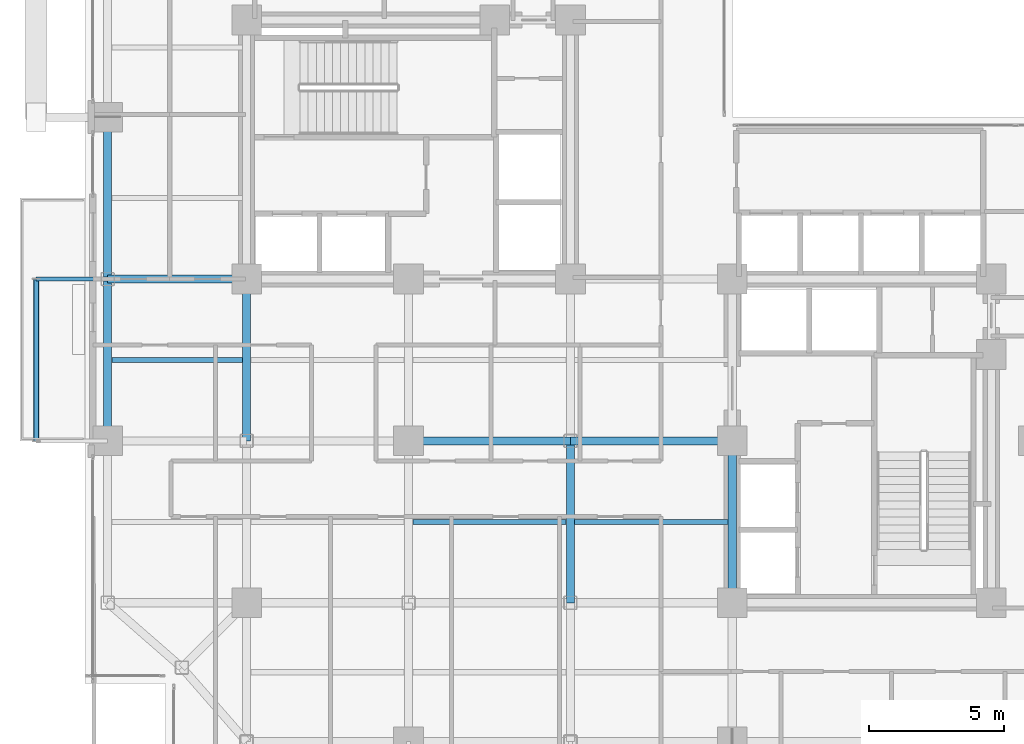
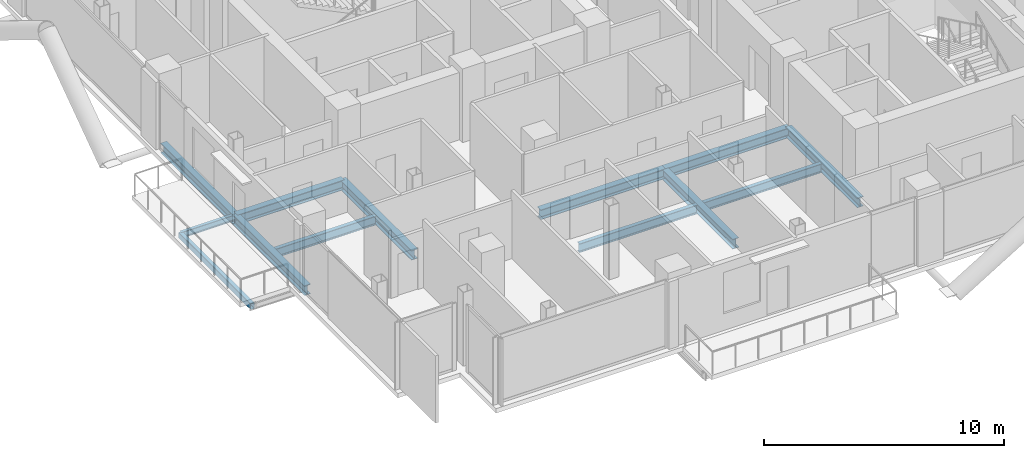
# One storey, part 5 of 24: 13 beams.
"""IFC4 building model written with IfcOpenShell, lengths in metres."""

from ifc_helpers import new_model, si_unit, direction, frame, origin, origin_2d, place, context, subcontext, project, spatial, hollow_rectangle, i_section, extrude, material, material_profile, profile_set, type_object, element, save


model = new_model("IFC4")

# Units and contexts
model_context = context("Model", 3, precision=1e-05, world=origin(), true_north=direction((0.0, 1.0)))
body_context = subcontext(model_context, "Body", "Model", "MODEL_VIEW")
ifc_project = project(units=[si_unit("LENGTHUNIT", "METRE"), si_unit("AREAUNIT", "SQUARE_METRE"), si_unit("VOLUMEUNIT", "CUBIC_METRE"), si_unit("PLANEANGLEUNIT", "RADIAN"), si_unit("MASSUNIT", "GRAM", prefix="KILO"), si_unit("THERMODYNAMICTEMPERATUREUNIT", "KELVIN"), si_unit("POWERUNIT", "WATT")], contexts=[model_context])

# Site, building, storey
site_placement = place(None, origin())
site = spatial("IfcSite", under=ifc_project, at=site_placement, CompositionType="ELEMENT")
building_placement = place(site_placement, origin())
building = spatial("IfcBuilding", under=site, at=building_placement, Name="Svarakhadi Broadcast Tower", CompositionType="ELEMENT")
storey_placement = place(building_placement, frame((0.0, 0.0, 160.64990234375)))
storey = spatial("IfcBuildingStorey", under=building, at=storey_placement, Name="L39", CompositionType="ELEMENT", Elevation=160.64990234375)

# Beams
ifc_material_1 = material(Name="Steel S355J2 (IS 2062 E350C)", Category="steel")
ifc_material_profile_1 = material_profile(ifc_material_1, i_section(OverallWidth=0.18994140625, OverallDepth=0.449951171875, WebThickness=0.009521484375, FlangeThickness=0.0146484375, FilletRadius=0.02099609375, at=origin_2d()), Name="NPB 450x190x78")
ifc_profile_set_1 = profile_set([ifc_material_profile_1], Name="Steel S355J2 (IS 2062 E350C)")
beam_type_1 = type_object("IfcBeamType", Name="Beam_NPB450", PredefinedType="BEAM", material=ifc_profile_set_1)
beam_1_placement = place(storey_placement, frame((1.010009765625, 15.0, -0.449951171875), z_axis=(1.0, 0.0, 0.0), x_axis=(0.0, 1.0, 0.0)))
element("IfcBeam", 1, at=beam_1_placement, inside=storey, type_object=beam_type_1, Name="L39 Secondary Composite Beam SB002", PredefinedType="BEAM", context=body_context, shape_type="SweptSolid", body=[
    extrude(i_section(OverallWidth=0.18994140625, OverallDepth=0.449951171875, WebThickness=0.009521484375, FlangeThickness=0.0146484375, FilletRadius=0.02099609375, at=origin_2d()), origin(), (0.0, 0.0, 1.0), 4.830078125),
])
for number, where, z_axis, x_axis, name in (
    (2, (12.159912109375, 9.0, -0.449951171875), (1.0, 0.0, 0.0), (0.0, 1.0, 0.0), "L39 Secondary Composite Beam SB012"),
    (3, (18.159912109375, 9.0, -0.449951171875), (1.0, 0.0, 0.0), (0.0, 1.0, 0.0), "L39 Secondary Composite Beam SB017"),
):
    element("IfcBeam", number, at=place(storey_placement, frame(where, z_axis=z_axis, x_axis=x_axis)), inside=storey, type_object=beam_type_1, Name=name, PredefinedType="BEAM", context=body_context, shape_type="SweptSolid", body=[
        extrude(i_section(OverallWidth=0.18994140625, OverallDepth=0.449951171875, WebThickness=0.009521484375, FlangeThickness=0.0146484375, FilletRadius=0.02099609375, at=origin_2d()), origin(), (0.0, 0.0, 1.0), 5.68017578125),
    ])
ifc_material_profile_2 = material_profile(ifc_material_1, i_section(OverallWidth=0.300048828125, OverallDepth=0.5, WebThickness=0.014404296875, FlangeThickness=0.028076171875, FilletRadius=0.027099609375, at=origin_2d()), Name="WPB 500x300x187")
ifc_profile_set_2 = profile_set([ifc_material_profile_2], Name="Steel S355J2 (IS 2062 E350C)")
beam_type_2 = type_object("IfcBeamType", Name="Girder_WPB500", PredefinedType="USERDEFINED", material=ifc_profile_set_2)
for number, where, z_axis, x_axis, name in (
    (4, (12.0, 12.0, -0.474853515625), (1.0, 0.0, 0.0), (0.0, 1.0, 0.0), "L39 Primary E-W Girder G019"),
    (5, (18.0, 12.0, -0.474853515625), (1.0, 0.0, 0.0), (0.0, 1.0, 0.0), "L39 Primary E-W Girder G020"),
):
    element("IfcBeam", number, at=place(storey_placement, frame(where, z_axis=z_axis, x_axis=x_axis)), inside=storey, type_object=beam_type_2, Name=name, ObjectType="GIRDER", PredefinedType="USERDEFINED", context=body_context, shape_type="SweptSolid", body=[
        extrude(i_section(OverallWidth=0.300048828125, OverallDepth=0.5, WebThickness=0.014404296875, FlangeThickness=0.028076171875, FilletRadius=0.027099609375, at=origin_2d()), origin(), (0.0, 0.0, 1.0), 6.0),
    ])
beam_2_placement = place(storey_placement, frame((0.85009765625, 18.0, -0.474853515625), z_axis=(1.0, 0.0, 0.0), x_axis=(0.0, 1.0, 0.0)))
element("IfcBeam", 6, at=beam_2_placement, inside=storey, type_object=beam_type_2, Name="L39 Primary E-W Girder G023", ObjectType="GIRDER", PredefinedType="USERDEFINED", context=body_context, shape_type="SweptSolid", body=[
    extrude(i_section(OverallWidth=0.300048828125, OverallDepth=0.5, WebThickness=0.014404296875, FlangeThickness=0.028076171875, FilletRadius=0.027099609375, at=origin_2d()), origin(), (0.0, 0.0, 1.0), 5.14990234375),
])
for number, where, z_axis, x_axis, name in (
    (7, (0.85009765625, 12.0, -0.474853515625), (0.0, 1.0, 0.0), (-1.0, 0.0, 0.0), "L39 Primary N-S Girder G041"),
    (8, (0.85009765625, 18.0, -0.474853515625), (0.0, 1.0, 0.0), (-1.0, 0.0, 0.0), "L39 Primary N-S Girder G042"),
    (9, (6.0, 12.0, -0.474853515625), (0.0, 1.0, 0.0), (-1.0, 0.0, 0.0), "L39 Primary N-S Girder G047"),
    (10, (18.0, 6.0, -0.474853515625), (0.0, 1.0, 0.0), (-1.0, 0.0, 0.0), "L39 Primary N-S Girder G057"),
    (11, (24.0, 6.0, -0.474853515625), (0.0, 1.0, 0.0), (-1.0, 0.0, 0.0), "L39 Primary N-S Girder G063"),
):
    element("IfcBeam", number, at=place(storey_placement, frame(where, z_axis=z_axis, x_axis=x_axis)), inside=storey, type_object=beam_type_2, Name=name, ObjectType="GIRDER", PredefinedType="USERDEFINED", context=body_context, shape_type="SweptSolid", body=[
        extrude(i_section(OverallWidth=0.300048828125, OverallDepth=0.5, WebThickness=0.014404296875, FlangeThickness=0.028076171875, FilletRadius=0.027099609375, at=origin_2d()), origin(), (0.0, 0.0, 1.0), 6.0),
    ])
ifc_material_profile_3 = material_profile(ifc_material_1, i_section(OverallWidth=0.14990234375, OverallDepth=0.300048828125, WebThickness=0.007080078125, FlangeThickness=0.0107421875, FilletRadius=0.014892578125, at=origin_2d()), Name="NPB 300x150x37")
ifc_profile_set_3 = profile_set([ifc_material_profile_3], Name="Steel S355J2 (IS 2062 E350C)")
beam_type_3 = type_object("IfcBeamType", Name="Spandrel_NPB300", PredefinedType="SPANDREL", material=ifc_profile_set_3)
beam_3_placement = place(storey_placement, frame((0.85009765625, 18.0, -0.375), z_axis=(-1.0, 0.0, 0.0), x_axis=(0.0, -1.0, 0.0)))
element("IfcBeam", 12, at=beam_3_placement, inside=storey, type_object=beam_type_3, Name="L39 Balcony Cantilever Bracket 2B", PredefinedType="SPANDREL", context=body_context, shape_type="SweptSolid", body=[
    extrude(i_section(OverallWidth=0.14990234375, OverallDepth=0.300048828125, WebThickness=0.007080078125, FlangeThickness=0.0107421875, FilletRadius=0.014892578125, at=origin_2d()), origin(), (0.0, 0.0, 1.0), 2.650146484375),
])
ifc_material_2 = material(Name="Steel S460ML (IS 2062 E450BR)", Category="steel")
ifc_material_profile_4 = material_profile(ifc_material_2, hollow_rectangle(XDim=0.199951171875, YDim=0.300048828125, WallThickness=0.012451171875, InnerFilletRadius=0.012451171875, OuterFilletRadius=0.02490234375, at=origin_2d()), Name="RHS 300x200x12.5")
ifc_profile_set_4 = profile_set([ifc_material_profile_4], Name="Steel S460ML (IS 2062 E450BR)")
beam_type_4 = type_object("IfcBeamType", Name="Spandrel_RHS300", PredefinedType="SPANDREL", material=ifc_profile_set_4)
beam_4_placement = place(storey_placement, frame((-1.800048828125, 12.0, -0.375), z_axis=(0.0, 1.0, 0.0), x_axis=(-1.0, 0.0, 0.0)))
element("IfcBeam", 13, at=beam_4_placement, inside=storey, type_object=beam_type_4, Name="L39 Balcony Outer Spandrel 2F", PredefinedType="SPANDREL", context=body_context, shape_type="SweptSolid", body=[
    extrude(hollow_rectangle(XDim=0.199951171875, YDim=0.300048828125, WallThickness=0.012451171875, InnerFilletRadius=0.012451171875, OuterFilletRadius=0.02490234375, at=origin_2d()), origin(), (0.0, 0.0, 1.0), 6.0),
])

save(model, "model.ifc")
